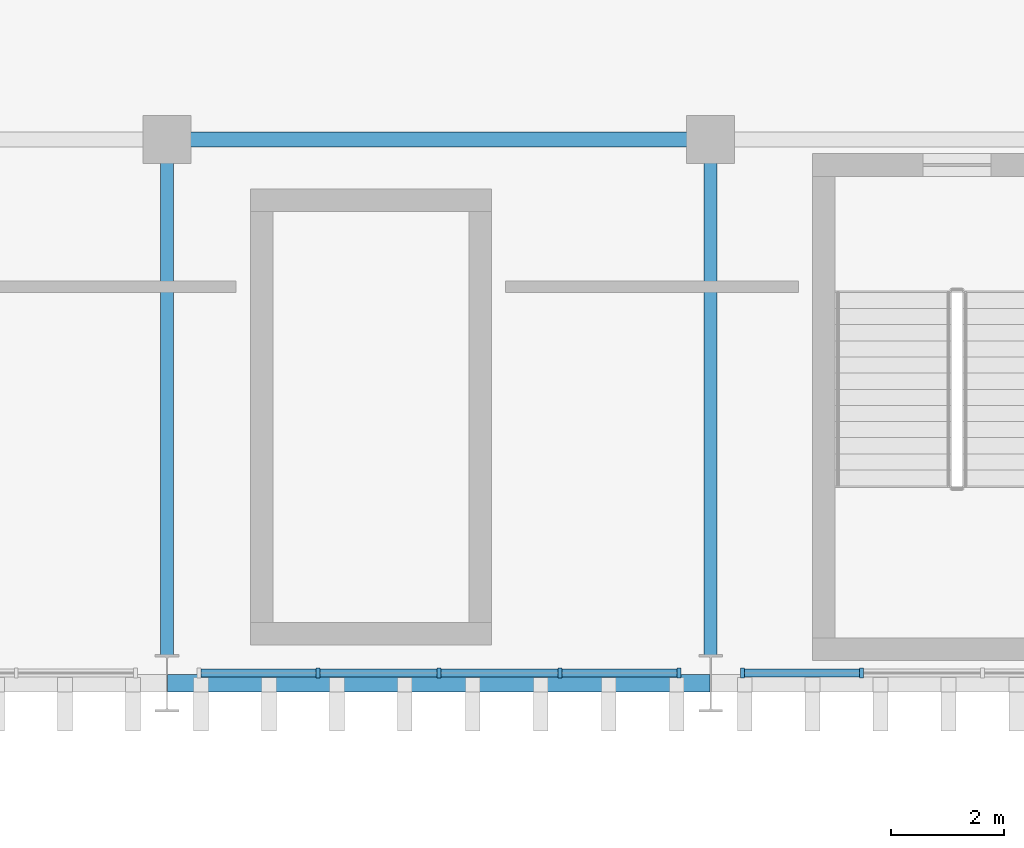
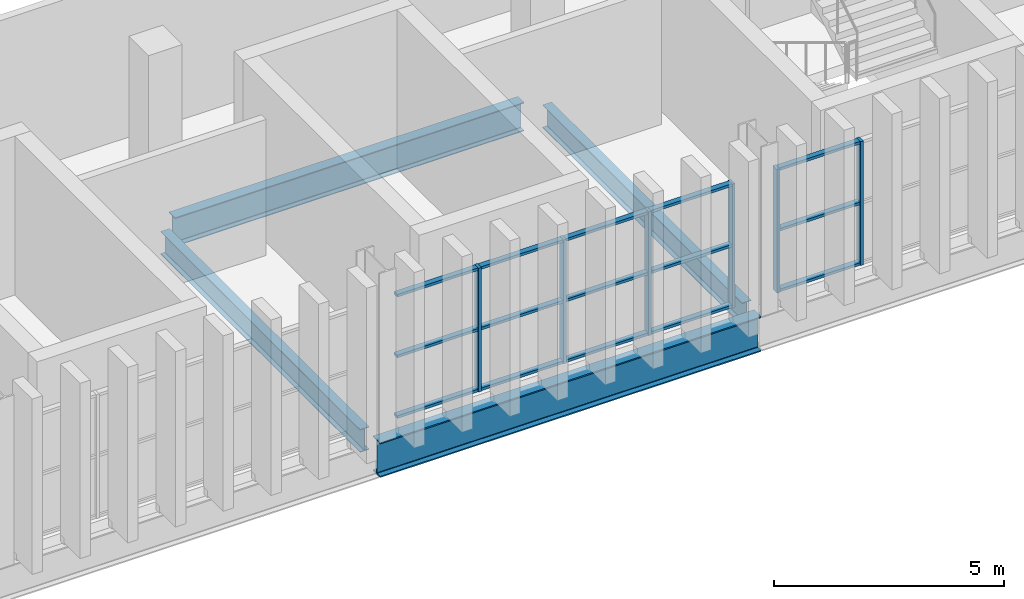
# One storey, part 13 of 92: 21 members, 4 beams, 2 elements without a shape of their own.
"""IFC4 building model written with IfcOpenShell, lengths in metres."""

from ifc_helpers import new_model, si_unit, direction, frame, origin, origin_2d, place, context, subcontext, project, spatial, rectangle, i_section, extrude, material, layer, layer_set, material_profile, profile_set, type_object, element, aggregate, save


model = new_model("IFC4")

# Units and contexts
model_context = context("Model", 3, precision=1e-05, world=origin(), true_north=direction((0.0, 1.0)))
body_context = subcontext(model_context, "Body", "Model", "MODEL_VIEW")
ifc_project = project(units=[si_unit("LENGTHUNIT", "METRE"), si_unit("AREAUNIT", "SQUARE_METRE"), si_unit("VOLUMEUNIT", "CUBIC_METRE"), si_unit("PLANEANGLEUNIT", "RADIAN"), si_unit("MASSUNIT", "GRAM", prefix="KILO")], contexts=[model_context])

# Site, building, storey
site_placement = place(None, origin())
site = spatial("IfcSite", under=ifc_project, at=site_placement, CompositionType="ELEMENT")
building_placement = place(site_placement, origin())
building = spatial("IfcBuilding", under=site, at=building_placement, Name="Caelomonte Colonnade Arena", CompositionType="ELEMENT")
storey_placement = place(building_placement, frame((0.0, 0.0, 9.60009765625)))
storey = spatial("IfcBuildingStorey", under=building, at=storey_placement, Name="L02", CompositionType="ELEMENT", Elevation=9.60009765625)

# Curtain wall, members
ifc_material_1 = material(Name="Bronze anodised aluminium and low-E glazing", Category="aluminium")
ifc_layer = layer(ifc_material_1, 0.179931640625)
ifc_layer_set = layer_set([ifc_layer], Name="Bronze anodised aluminium and low-E glazing")
curtain_wall_type = type_object("IfcCurtainWallType", Name="ENV-CW-CW-L02-96-33", PredefinedType="USERDEFINED", material=ifc_layer_set)
curtain_wall_1_placement = place(storey_placement, origin())
curtain_wall_1 = element("IfcCurtainWall", 1, at=curtain_wall_1_placement, inside=storey, type_object=curtain_wall_type, Name="L02 unitized curtain wall CW-L02-1200-0194", ObjectType="UNITIZED CURTAIN WALL", PredefinedType="USERDEFINED")
ifc_material_2 = material(Name="Bronze anodised aluminium AA6063-T6", Category="aluminium")
ifc_material_profile_1 = material_profile(ifc_material_2, rectangle(XDim=0.070068359375, YDim=0.179931640625, at=origin_2d()), Name="CWM-70X180")
ifc_profile_set_1 = profile_set([ifc_material_profile_1], Name="Bronze anodised aluminium AA6063-T6")
member_type_1 = type_object("IfcMemberType", Name="ENV-CW-MULL1", PredefinedType="MULLION", material=ifc_profile_set_1)
member_1_placement = place(storey_placement, frame((117.86279296875, 19.3798828125, 0.0), z_axis=(0.0, 0.0, 1.0), x_axis=(1.0, 0.0, 0.0)))
member_1 = element("IfcMember", 2, at=member_1_placement, type_object=member_type_1, Name="CW-L02-96-33 mullion 2", PredefinedType="MULLION", context=body_context, shape_type="SweptSolid", body=[
    extrude(rectangle(XDim=0.070068359375, YDim=0.179931640625, at=origin_2d()), origin(), (0.0, 0.0, 1.0), 3.29296875),
])
member_2_placement = place(storey_placement, frame((120.0, 19.3798828125, 0.0), z_axis=(0.0, 0.0, 1.0), x_axis=(1.0, 0.0, 0.0)))
member_2 = element("IfcMember", 3, at=member_2_placement, type_object=member_type_1, Name="CW-L02-96-33 mullion 3", PredefinedType="MULLION", context=body_context, shape_type="SweptSolid", body=[
    extrude(rectangle(XDim=0.070068359375, YDim=0.179931640625, at=origin_2d()), origin(), (0.0, 0.0, 1.0), 3.29296875),
])
member_3_placement = place(storey_placement, frame((122.13720703125, 19.3798828125, 0.0), z_axis=(0.0, 0.0, 1.0), x_axis=(1.0, 0.0, 0.0)))
member_3 = element("IfcMember", 4, at=member_3_placement, type_object=member_type_1, Name="CW-L02-96-33 mullion 4", PredefinedType="MULLION", context=body_context, shape_type="SweptSolid", body=[
    extrude(rectangle(XDim=0.070068359375, YDim=0.179931640625, at=origin_2d()), origin(), (0.0, 0.0, 1.0), 3.29296875),
])
member_4_placement = place(storey_placement, frame((124.239501953125, 19.3798828125, 0.0), z_axis=(0.0, 0.0, 1.0), x_axis=(1.0, 0.0, 0.0)))
member_4 = element("IfcMember", 5, at=member_4_placement, type_object=member_type_1, Name="CW-L02-96-33 mullion 5", PredefinedType="MULLION", context=body_context, shape_type="SweptSolid", body=[
    extrude(rectangle(XDim=0.070068359375, YDim=0.179931640625, at=origin_2d()), origin(), (0.0, 0.0, 1.0), 3.29296875),
])

curtain_wall_2_placement = place(storey_placement, origin())
curtain_wall_2 = element("IfcCurtainWall", 6, at=curtain_wall_2_placement, inside=storey, type_object=curtain_wall_type, Name="L02 unitized curtain wall CW-L02-1296-0194", ObjectType="UNITIZED CURTAIN WALL", PredefinedType="USERDEFINED")
member_5_placement = place(storey_placement, frame((125.360595703125, 19.3798828125, 0.0), z_axis=(0.0, 0.0, 1.0), x_axis=(1.0, 0.0, 0.0)))
member_5 = element("IfcMember", 7, at=member_5_placement, type_object=member_type_1, Name="CW-L02-96-33 mullion 1", PredefinedType="MULLION", context=body_context, shape_type="SweptSolid", body=[
    extrude(rectangle(XDim=0.070068359375, YDim=0.179931640625, at=origin_2d()), origin(), (0.0, 0.0, 1.0), 3.29296875),
])
member_6_placement = place(storey_placement, frame((127.462646484375, 19.3798828125, 0.0), z_axis=(0.0, 0.0, 1.0), x_axis=(1.0, 0.0, 0.0)))
member_6 = element("IfcMember", 8, at=member_6_placement, type_object=member_type_1, Name="CW-L02-96-33 mullion 2", PredefinedType="MULLION", context=body_context, shape_type="SweptSolid", body=[
    extrude(rectangle(XDim=0.070068359375, YDim=0.179931640625, at=origin_2d()), origin(), (0.0, 0.0, 1.0), 3.29296875),
])

# Member
ifc_material_profile_2 = material_profile(ifc_material_2, rectangle(XDim=0.070068359375, YDim=0.139892578125, at=origin_2d()), Name="CWT-70X140")
ifc_profile_set_2 = profile_set([ifc_material_profile_2], Name="Bronze anodised aluminium AA6063-T6")
member_type_2 = type_object("IfcMemberType", Name="ENV-CW-TRAN1", PredefinedType="USERDEFINED", material=ifc_profile_set_2)
member_7_placement = place(storey_placement, frame((115.79541015625, 19.3798828125, 0.034912109375), z_axis=(1.0, 0.0, 0.0), x_axis=(0.0, 0.0, 1.0)))
member_7 = element("IfcMember", 9, at=member_7_placement, type_object=member_type_2, Name="CW-L02-96-33 transom 1.1", ObjectType="TRANSOM", PredefinedType="USERDEFINED", context=body_context, shape_type="SweptSolid", body=[
    extrude(rectangle(XDim=0.070068359375, YDim=0.139892578125, at=origin_2d()), origin(), (0.0, 0.0, 1.0), 2.0322265625),
])

member_8_placement = place(storey_placement, frame((115.79541015625, 19.3798828125, 1.646484375), z_axis=(1.0, 0.0, 0.0), x_axis=(0.0, 0.0, 1.0)))
member_8 = element("IfcMember", 10, at=member_8_placement, type_object=member_type_2, Name="CW-L02-96-33 transom 1.2", ObjectType="TRANSOM", PredefinedType="USERDEFINED", context=body_context, shape_type="SweptSolid", body=[
    extrude(rectangle(XDim=0.070068359375, YDim=0.139892578125, at=origin_2d()), origin(), (0.0, 0.0, 1.0), 2.0322265625),
])

member_9_placement = place(storey_placement, frame((115.79541015625, 19.3798828125, 3.2578125), z_axis=(1.0, 0.0, 0.0), x_axis=(0.0, 0.0, 1.0)))
member_9 = element("IfcMember", 11, at=member_9_placement, type_object=member_type_2, Name="CW-L02-96-33 transom 1.3", ObjectType="TRANSOM", PredefinedType="USERDEFINED", context=body_context, shape_type="SweptSolid", body=[
    extrude(rectangle(XDim=0.070068359375, YDim=0.139892578125, at=origin_2d()), origin(), (0.0, 0.0, 1.0), 2.0322265625),
])

member_10_placement = place(storey_placement, frame((117.897705078125, 19.3798828125, 0.034912109375), z_axis=(1.0, 0.0, 0.0), x_axis=(0.0, 0.0, 1.0)))
member_10 = element("IfcMember", 12, at=member_10_placement, type_object=member_type_2, Name="CW-L02-96-33 transom 2.1", ObjectType="TRANSOM", PredefinedType="USERDEFINED", context=body_context, shape_type="SweptSolid", body=[
    extrude(rectangle(XDim=0.070068359375, YDim=0.139892578125, at=origin_2d()), origin(), (0.0, 0.0, 1.0), 2.0673828125),
])

member_11_placement = place(storey_placement, frame((117.897705078125, 19.3798828125, 1.646484375), z_axis=(1.0, 0.0, 0.0), x_axis=(0.0, 0.0, 1.0)))
member_11 = element("IfcMember", 13, at=member_11_placement, type_object=member_type_2, Name="CW-L02-96-33 transom 2.2", ObjectType="TRANSOM", PredefinedType="USERDEFINED", context=body_context, shape_type="SweptSolid", body=[
    extrude(rectangle(XDim=0.070068359375, YDim=0.139892578125, at=origin_2d()), origin(), (0.0, 0.0, 1.0), 2.0673828125),
])

member_12_placement = place(storey_placement, frame((117.897705078125, 19.3798828125, 3.2578125), z_axis=(1.0, 0.0, 0.0), x_axis=(0.0, 0.0, 1.0)))
member_12 = element("IfcMember", 14, at=member_12_placement, type_object=member_type_2, Name="CW-L02-96-33 transom 2.3", ObjectType="TRANSOM", PredefinedType="USERDEFINED", context=body_context, shape_type="SweptSolid", body=[
    extrude(rectangle(XDim=0.070068359375, YDim=0.139892578125, at=origin_2d()), origin(), (0.0, 0.0, 1.0), 2.0673828125),
])

member_13_placement = place(storey_placement, frame((120.034912109375, 19.3798828125, 0.034912109375), z_axis=(1.0, 0.0, 0.0), x_axis=(0.0, 0.0, 1.0)))
member_13 = element("IfcMember", 15, at=member_13_placement, type_object=member_type_2, Name="CW-L02-96-33 transom 3.1", ObjectType="TRANSOM", PredefinedType="USERDEFINED", context=body_context, shape_type="SweptSolid", body=[
    extrude(rectangle(XDim=0.070068359375, YDim=0.139892578125, at=origin_2d()), origin(), (0.0, 0.0, 1.0), 2.0673828125),
])

member_14_placement = place(storey_placement, frame((120.034912109375, 19.3798828125, 1.646484375), z_axis=(1.0, 0.0, 0.0), x_axis=(0.0, 0.0, 1.0)))
member_14 = element("IfcMember", 16, at=member_14_placement, type_object=member_type_2, Name="CW-L02-96-33 transom 3.2", ObjectType="TRANSOM", PredefinedType="USERDEFINED", context=body_context, shape_type="SweptSolid", body=[
    extrude(rectangle(XDim=0.070068359375, YDim=0.139892578125, at=origin_2d()), origin(), (0.0, 0.0, 1.0), 2.0673828125),
])

member_15_placement = place(storey_placement, frame((120.034912109375, 19.3798828125, 3.2578125), z_axis=(1.0, 0.0, 0.0), x_axis=(0.0, 0.0, 1.0)))
member_15 = element("IfcMember", 17, at=member_15_placement, type_object=member_type_2, Name="CW-L02-96-33 transom 3.3", ObjectType="TRANSOM", PredefinedType="USERDEFINED", context=body_context, shape_type="SweptSolid", body=[
    extrude(rectangle(XDim=0.070068359375, YDim=0.139892578125, at=origin_2d()), origin(), (0.0, 0.0, 1.0), 2.0673828125),
])

member_16_placement = place(storey_placement, frame((122.17236328125, 19.3798828125, 0.034912109375), z_axis=(1.0, 0.0, 0.0), x_axis=(0.0, 0.0, 1.0)))
member_16 = element("IfcMember", 18, at=member_16_placement, type_object=member_type_2, Name="CW-L02-96-33 transom 4.1", ObjectType="TRANSOM", PredefinedType="USERDEFINED", context=body_context, shape_type="SweptSolid", body=[
    extrude(rectangle(XDim=0.070068359375, YDim=0.139892578125, at=origin_2d()), origin(), (0.0, 0.0, 1.0), 2.0322265625),
])

member_17_placement = place(storey_placement, frame((122.17236328125, 19.3798828125, 1.646484375), z_axis=(1.0, 0.0, 0.0), x_axis=(0.0, 0.0, 1.0)))
member_17 = element("IfcMember", 19, at=member_17_placement, type_object=member_type_2, Name="CW-L02-96-33 transom 4.2", ObjectType="TRANSOM", PredefinedType="USERDEFINED", context=body_context, shape_type="SweptSolid", body=[
    extrude(rectangle(XDim=0.070068359375, YDim=0.139892578125, at=origin_2d()), origin(), (0.0, 0.0, 1.0), 2.0322265625),
])

member_18_placement = place(storey_placement, frame((122.17236328125, 19.3798828125, 3.2578125), z_axis=(1.0, 0.0, 0.0), x_axis=(0.0, 0.0, 1.0)))
member_18 = element("IfcMember", 20, at=member_18_placement, type_object=member_type_2, Name="CW-L02-96-33 transom 4.3", ObjectType="TRANSOM", PredefinedType="USERDEFINED", context=body_context, shape_type="SweptSolid", body=[
    extrude(rectangle(XDim=0.070068359375, YDim=0.139892578125, at=origin_2d()), origin(), (0.0, 0.0, 1.0), 2.0322265625),
])

aggregate(curtain_wall_1, [member_1, member_2, member_3, member_4, member_7, member_8, member_9, member_10, member_11, member_12, member_13, member_14, member_15, member_16, member_17, member_18])

member_19_placement = place(storey_placement, frame((125.3955078125, 19.3798828125, 0.034912109375), z_axis=(1.0, 0.0, 0.0), x_axis=(0.0, 0.0, 1.0)))
member_19 = element("IfcMember", 21, at=member_19_placement, type_object=member_type_2, Name="CW-L02-96-33 transom 1.1", ObjectType="TRANSOM", PredefinedType="USERDEFINED", context=body_context, shape_type="SweptSolid", body=[
    extrude(rectangle(XDim=0.070068359375, YDim=0.139892578125, at=origin_2d()), origin(), (0.0, 0.0, 1.0), 2.0322265625),
])

member_20_placement = place(storey_placement, frame((125.3955078125, 19.3798828125, 1.646484375), z_axis=(1.0, 0.0, 0.0), x_axis=(0.0, 0.0, 1.0)))
member_20 = element("IfcMember", 22, at=member_20_placement, type_object=member_type_2, Name="CW-L02-96-33 transom 1.2", ObjectType="TRANSOM", PredefinedType="USERDEFINED", context=body_context, shape_type="SweptSolid", body=[
    extrude(rectangle(XDim=0.070068359375, YDim=0.139892578125, at=origin_2d()), origin(), (0.0, 0.0, 1.0), 2.0322265625),
])

member_21_placement = place(storey_placement, frame((125.3955078125, 19.3798828125, 3.2578125), z_axis=(1.0, 0.0, 0.0), x_axis=(0.0, 0.0, 1.0)))
member_21 = element("IfcMember", 23, at=member_21_placement, type_object=member_type_2, Name="CW-L02-96-33 transom 1.3", ObjectType="TRANSOM", PredefinedType="USERDEFINED", context=body_context, shape_type="SweptSolid", body=[
    extrude(rectangle(XDim=0.070068359375, YDim=0.139892578125, at=origin_2d()), origin(), (0.0, 0.0, 1.0), 2.0322265625),
])

aggregate(curtain_wall_2, [member_5, member_6, member_19, member_20, member_21])

# Beams
ifc_material_3 = material(Name="Wide-flange steel ASTM A992 Grade 50", Category="steel")
ifc_material_profile_3 = material_profile(ifc_material_3, i_section(OverallWidth=0.307861328125, OverallDepth=0.927001953125, WebThickness=0.019287109375, FlangeThickness=0.031982421875, FilletRadius=0.020263671875, at=origin_2d()), Name="W36X194")
ifc_profile_set_3 = profile_set([ifc_material_profile_3], Name="Wide-flange steel ASTM A992 Grade 50")
beam_type_1 = type_object("IfcBeamType", Name="STR-BM-EAVES2", PredefinedType="SPANDREL", material=ifc_profile_set_3)
beam_1_placement = place(storey_placement, frame((115.2119140625, 19.199951171875, -0.74365234375), z_axis=(1.0, 0.0, 0.0), x_axis=(0.0, 1.0, 0.0)))
element("IfcBeam", 24, at=beam_1_placement, inside=storey, type_object=beam_type_1, Name="L02 girder BMX-L02-1152-0192", PredefinedType="SPANDREL", context=body_context, shape_type="SweptSolid", body=[
    extrude(i_section(OverallWidth=0.307861328125, OverallDepth=0.927001953125, WebThickness=0.019287109375, FlangeThickness=0.031982421875, FilletRadius=0.020263671875, at=origin_2d()), origin(), (0.0, 0.0, 1.0), 9.576171875),
])
ifc_material_profile_4 = material_profile(ifc_material_3, i_section(OverallWidth=0.228271484375, OverallDepth=0.607177734375, WebThickness=0.01123046875, FlangeThickness=0.017333984375, FilletRadius=0.0126953125, at=origin_2d()), Name="W24X76")
ifc_profile_set_4 = profile_set([ifc_material_profile_4], Name="Wide-flange steel ASTM A992 Grade 50")
beam_type_2 = type_object("IfcBeamType", Name="STR-BM-GIRD24", PredefinedType="BEAM", material=ifc_profile_set_4)
for number, where, z_axis, x_axis, name in (
    (25, (115.199951171875, 19.697509765625, -0.58349609375), (0.0, 1.0, 0.0), (-1.0, 0.0, 0.0), "L02 girder BMY-L02-1152-0192"),
    (26, (124.800048828125, 19.697509765625, -0.58349609375), (0.0, 1.0, 0.0), (-1.0, 0.0, 0.0), "L02 girder BMY-L02-1248-0192"),
):
    element("IfcBeam", number, at=place(storey_placement, frame(where, z_axis=z_axis, x_axis=x_axis)), inside=storey, type_object=beam_type_2, Name=name, PredefinedType="BEAM", context=body_context, shape_type="SweptSolid", body=[
        extrude(i_section(OverallWidth=0.228271484375, OverallDepth=0.607177734375, WebThickness=0.01123046875, FlangeThickness=0.017333984375, FilletRadius=0.0126953125, at=origin_2d()), origin(), (0.0, 0.0, 1.0), 8.685546875),
    ])
ifc_material_profile_5 = material_profile(ifc_material_3, i_section(OverallWidth=0.2666015625, OverallDepth=0.761962890625, WebThickness=0.014404296875, FlangeThickness=0.021484375, FilletRadius=0.0166015625, at=origin_2d()), Name="W30X116")
ifc_profile_set_5 = profile_set([ifc_material_profile_5], Name="Wide-flange steel ASTM A992 Grade 50")
beam_type_3 = type_object("IfcBeamType", Name="STR-BM-GIRD30", PredefinedType="BEAM", material=ifc_profile_set_5)
beam_2_placement = place(storey_placement, frame((115.616943359375, 28.800048828125, -0.6611328125), z_axis=(1.0, 0.0, 0.0), x_axis=(0.0, 1.0, 0.0)))
element("IfcBeam", 27, at=beam_2_placement, inside=storey, type_object=beam_type_3, Name="L02 girder BMX-L02-1152-0288", PredefinedType="BEAM", context=body_context, shape_type="SweptSolid", body=[
    extrude(i_section(OverallWidth=0.2666015625, OverallDepth=0.761962890625, WebThickness=0.014404296875, FlangeThickness=0.021484375, FilletRadius=0.0166015625, at=origin_2d()), origin(), (0.0, 0.0, 1.0), 8.76611328125),
])

save(model, "model.ifc")
